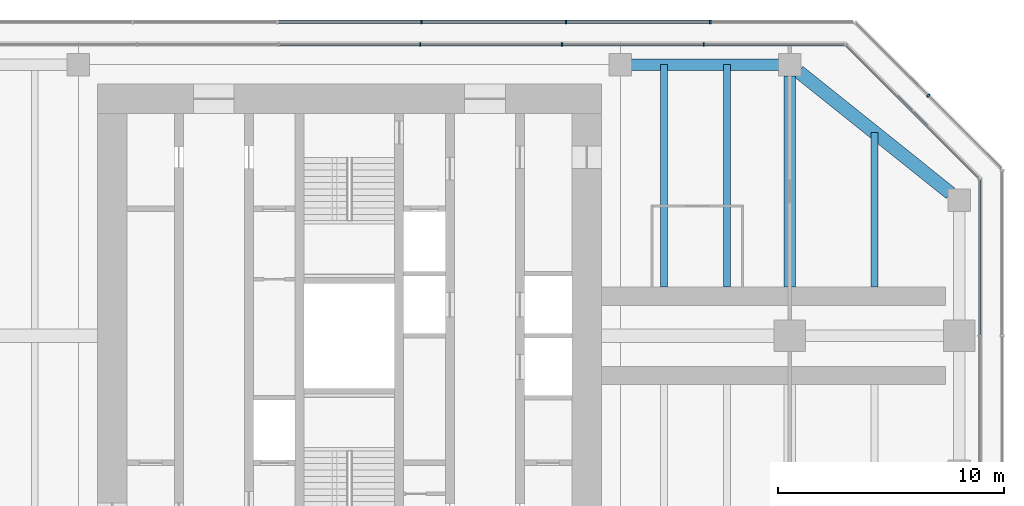
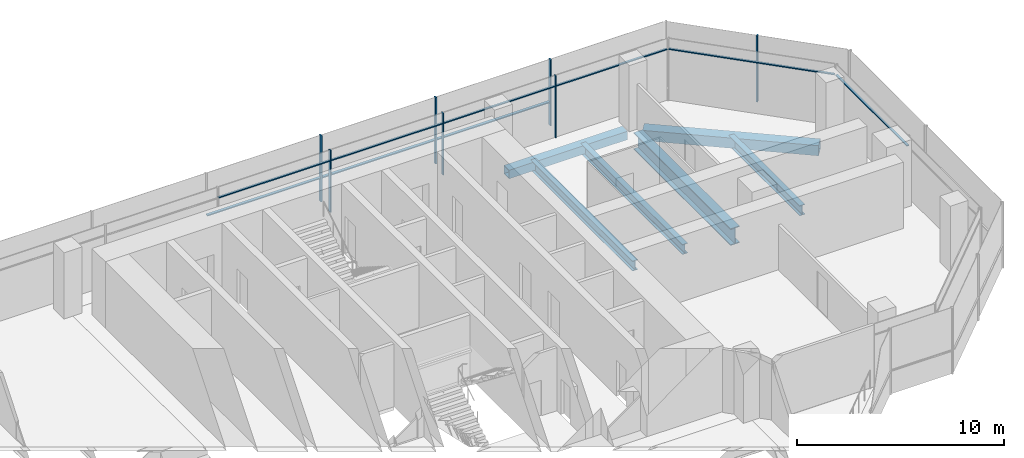
# One storey, part 7 of 15: 16 members, 6 beams, 5 elements without a shape of their own.
"""IFC4 building model written with IfcOpenShell, lengths in metres."""

from ifc_helpers import new_model, si_unit, direction, frame, origin, origin_2d, place, context, subcontext, project, spatial, rectangle, hollow_rectangle, i_section, extrude, material, material_profile, profile_set, type_object, element, aggregate, save


model = new_model("IFC4")

# Units and contexts
model_context = context("Model", 3, precision=1e-05, world=origin(), true_north=direction((0.0, 1.0)))
body_context = subcontext(model_context, "Body", "Model", "MODEL_VIEW")
ifc_project = project(units=[si_unit("LENGTHUNIT", "METRE"), si_unit("AREAUNIT", "SQUARE_METRE"), si_unit("VOLUMEUNIT", "CUBIC_METRE"), si_unit("PLANEANGLEUNIT", "RADIAN"), si_unit("MASSUNIT", "GRAM", prefix="KILO")], contexts=[model_context])

# Site, building, storey
site_placement = place(None, origin())
site = spatial("IfcSite", under=ifc_project, at=site_placement, CompositionType="ELEMENT")
building_placement = place(site_placement, origin())
building = spatial("IfcBuilding", under=site, at=building_placement, Name="Mizan Broadcast Tower", CompositionType="ELEMENT")
storey_placement = place(building_placement, frame((0.0, 0.0, 302.39990234375)))
storey = spatial("IfcBuildingStorey", under=building, at=storey_placement, Name="L72", CompositionType="ELEMENT", Elevation=302.39990234375)

# Beams
ifc_material_1 = material(Name="Steel S355", Category="steel")
ifc_material_profile_1 = material_profile(ifc_material_1, hollow_rectangle(XDim=0.5, YDim=0.5, WallThickness=0.030029296875, at=origin_2d()), Name="BOX 500x500x30")
ifc_profile_set_1 = profile_set([ifc_material_profile_1], Name="Steel S355")
beam_type_1 = type_object("IfcBeamType", Name="EDGE BEAM BOX 500x500x30", PredefinedType="SPANDREL", material=ifc_profile_set_1)
beam_1_placement = place(storey_placement, frame((12.449951171875, 12.0, -0.3798828125), z_axis=(1.0, 0.0, 0.0), x_axis=(0.0, 1.0, 0.0)))
element("IfcBeam", 1, at=beam_1_placement, inside=storey, type_object=beam_type_1, Name="Edge beam BOX 500x500x30 L72 east arm", PredefinedType="SPANDREL", context=body_context, shape_type="SweptSolid", body=[
    extrude(hollow_rectangle(XDim=0.5, YDim=0.5, WallThickness=0.030029296875, at=origin_2d()), origin(), (0.0, 0.0, 1.0), 6.60009765625),
])
ifc_material_2 = material(Name="Steel S355", Category="steel")
ifc_material_profile_2 = material_profile(ifc_material_2, hollow_rectangle(XDim=0.60009765625, YDim=0.60009765625, WallThickness=0.030029296875, at=origin_2d()), Name="BOX 600x600x30")
ifc_profile_set_2 = profile_set([ifc_material_profile_2], Name="Steel S355")
beam_type_2 = type_object("IfcBeamType", Name="EDGE BEAM BOX 600x600x30", PredefinedType="SPANDREL", material=ifc_profile_set_2)
beam_2_placement = place(storey_placement, frame((19.890380859375, 11.687744140625, -0.429931640625), z_axis=(0.780863273348, -0.62470196761, 0.0), x_axis=(0.62470196761, 0.780863273348, 0.0)))
element("IfcBeam", 2, at=beam_2_placement, inside=storey, type_object=beam_type_2, Name="Edge beam BOX 600x600x30 L72 east arm", PredefinedType="SPANDREL", context=body_context, shape_type="SweptSolid", body=[
    extrude(hollow_rectangle(XDim=0.60009765625, YDim=0.60009765625, WallThickness=0.030029296875, at=origin_2d()), origin(), (0.0, 0.0, 1.0), 8.60498046875),
])
ifc_material_3 = material(Name="Steel S460", Category="steel")
ifc_material_profile_3 = material_profile(ifc_material_3, i_section(OverallWidth=0.5, OverallDepth=1.0, WebThickness=0.02490234375, FlangeThickness=0.050048828125, at=origin_2d()), Name="WPG 1000x500")
ifc_profile_set_3 = profile_set([ifc_material_profile_3], Name="Steel S460")
beam_type_3 = type_object("IfcBeamType", Name="GIRDER WPG 1000x500", PredefinedType="BEAM", material=ifc_profile_set_3)
beam_3_placement = place(storey_placement, frame((19.5, 11.5, -0.6298828125), z_axis=(0.0, -1.0, 0.0), x_axis=(1.0, 0.0, 0.0)))
element("IfcBeam", 3, at=beam_3_placement, inside=storey, type_object=beam_type_3, Name="Girder WPG 1000x500 L72 east arm", PredefinedType="BEAM", context=body_context, shape_type="SweptSolid", body=[
    extrude(i_section(OverallWidth=0.5, OverallDepth=1.0, WebThickness=0.02490234375, FlangeThickness=0.050048828125, at=origin_2d()), origin(), (0.0, 0.0, 1.0), 9.35009765625),
])

# Curtain wall, members
ifc_material_4 = material(Name="Aluminium framed glazing", Category="aluminium")
curtain_wall_type_1 = type_object("IfcCurtainWallType", Name="INNER SKIN TOP ZONE", PredefinedType="USERDEFINED", material=ifc_material_4)
curtain_wall_1_placement = place(storey_placement, origin())
curtain_wall_1 = element("IfcCurtainWall", 4, at=curtain_wall_1_placement, inside=storey, type_object=curtain_wall_type_1, Name="Inner skin top zone L72 N end", ObjectType="INNER SKIN TOP ZONE", PredefinedType="USERDEFINED")
ifc_material_5 = material(Name="Aluminium, pale anodised", Category="aluminium")
ifc_material_profile_4 = material_profile(ifc_material_5, rectangle(XDim=0.159912109375, YDim=0.06005859375, at=origin_2d()), Name="MULLION 160x60")
ifc_profile_set_4 = profile_set([ifc_material_profile_4], Name="Aluminium, pale anodised")
member_type_1 = type_object("IfcMemberType", Name="INNER SKIN MULLION 60x160", PredefinedType="MULLION", material=ifc_profile_set_4)
member_1_placement = place(storey_placement, frame((15.684814453125, 12.89990234375, 0.0), z_axis=(0.0, 0.0, 1.0), x_axis=(0.0, -1.0, 0.0)))
member_1 = element("IfcMember", 5, at=member_1_placement, type_object=member_type_1, Name="Inner skin top zone L72 N end mullion 2", PredefinedType="MULLION", context=body_context, shape_type="SweptSolid", body=[
    extrude(rectangle(XDim=0.159912109375, YDim=0.06005859375, at=origin_2d()), origin(), (0.0, 0.0, 1.0), 3.650146484375),
])
member_2_placement = place(storey_placement, frame((9.410888671875, 12.89990234375, 0.0), z_axis=(0.0, 0.0, 1.0), x_axis=(0.0, -1.0, 0.0)))
member_2 = element("IfcMember", 6, at=member_2_placement, type_object=member_type_1, Name="Inner skin top zone L72 N end mullion 3", PredefinedType="MULLION", context=body_context, shape_type="SweptSolid", body=[
    extrude(rectangle(XDim=0.159912109375, YDim=0.06005859375, at=origin_2d()), origin(), (0.0, 0.0, 1.0), 3.650146484375),
])
member_3_placement = place(storey_placement, frame((3.136962890625, 12.89990234375, 0.0), z_axis=(0.0, 0.0, 1.0), x_axis=(0.0, -1.0, 0.0)))
member_3 = element("IfcMember", 7, at=member_3_placement, type_object=member_type_1, Name="Inner skin top zone L72 N end mullion 4", PredefinedType="MULLION", context=body_context, shape_type="SweptSolid", body=[
    extrude(rectangle(XDim=0.159912109375, YDim=0.06005859375, at=origin_2d()), origin(), (0.0, 0.0, 1.0), 3.650146484375),
])

# Curtain wall, member
curtain_wall_2_placement = place(storey_placement, origin())
curtain_wall_2 = element("IfcCurtainWall", 8, at=curtain_wall_2_placement, inside=storey, type_object=curtain_wall_type_1, Name="Inner skin top zone L72 E end", ObjectType="INNER SKIN TOP ZONE", PredefinedType="USERDEFINED")
ifc_material_6 = material(Name="Aluminium, pale anodised", Category="aluminium")
ifc_material_profile_5 = material_profile(ifc_material_6, rectangle(XDim=0.1201171875, YDim=0.06005859375, at=origin_2d()), Name="TRANSOM 120x60")
ifc_profile_set_5 = profile_set([ifc_material_profile_5], Name="Aluminium, pale anodised")
member_type_2 = type_object("IfcMemberType", Name="INNER SKIN TRANSOM 60x120", PredefinedType="USERDEFINED", material=ifc_profile_set_5)
member_4_placement = place(storey_placement, frame((27.89990234375, 0.030029296875, 3.030029296875), z_axis=(0.0, 1.0, 0.0), x_axis=(-1.0, 0.0, 0.0)))
member_4 = element("IfcMember", 9, at=member_4_placement, type_object=member_type_2, Name="Inner skin top zone L72 E end transom 2.1", ObjectType="TRANSOM", PredefinedType="USERDEFINED", context=body_context, shape_type="SweptSolid", body=[
    extrude(rectangle(XDim=0.1201171875, YDim=0.06005859375, at=origin_2d()), origin(), (0.0, 0.0, 1.0), 6.86865234375),
])
aggregate(curtain_wall_2, [member_4])

curtain_wall_3_placement = place(storey_placement, origin())
curtain_wall_3 = element("IfcCurtainWall", 10, at=curtain_wall_3_placement, inside=storey, type_object=curtain_wall_type_1, Name="Inner skin top zone L72 E chamfer", ObjectType="INNER SKIN TOP ZONE", PredefinedType="USERDEFINED")
member_5_placement = place(storey_placement, frame((27.857666015625, 7.0009765625, 3.030029296875), z_axis=(-0.707106781187, 0.707106781187, 0.0), x_axis=(-0.707106781187, -0.707106781187, 0.0)))
member_5 = element("IfcMember", 11, at=member_5_placement, type_object=member_type_2, Name="Inner skin top zone L72 E chamfer transom 1.1", ObjectType="TRANSOM", PredefinedType="USERDEFINED", context=body_context, shape_type="SweptSolid", body=[
    extrude(rectangle(XDim=0.1201171875, YDim=0.06005859375, at=origin_2d()), origin(), (0.0, 0.0, 1.0), 8.28271484375),
])
aggregate(curtain_wall_3, [member_5])

# Member
member_6_placement = place(storey_placement, frame((21.898681640625, 12.89990234375, 3.030029296875), z_axis=(-1.0, 0.0, 0.0), x_axis=(0.0, -1.0, 0.0)))
member_6 = element("IfcMember", 12, at=member_6_placement, type_object=member_type_2, Name="Inner skin top zone L72 N end transom 1.1", ObjectType="TRANSOM", PredefinedType="USERDEFINED", context=body_context, shape_type="SweptSolid", body=[
    extrude(rectangle(XDim=0.1201171875, YDim=0.06005859375, at=origin_2d()), origin(), (0.0, 0.0, 1.0), 6.18408203125),
])

member_7_placement = place(storey_placement, frame((15.65478515625, 12.89990234375, 3.030029296875), z_axis=(-1.0, 0.0, 0.0), x_axis=(0.0, -1.0, 0.0)))
member_7 = element("IfcMember", 13, at=member_7_placement, type_object=member_type_2, Name="Inner skin top zone L72 N end transom 2.1", ObjectType="TRANSOM", PredefinedType="USERDEFINED", context=body_context, shape_type="SweptSolid", body=[
    extrude(rectangle(XDim=0.1201171875, YDim=0.06005859375, at=origin_2d()), origin(), (0.0, 0.0, 1.0), 6.2138671875),
])

member_8_placement = place(storey_placement, frame((9.380859375, 12.89990234375, 3.030029296875), z_axis=(-1.0, 0.0, 0.0), x_axis=(0.0, -1.0, 0.0)))
member_8 = element("IfcMember", 14, at=member_8_placement, type_object=member_type_2, Name="Inner skin top zone L72 N end transom 3.1", ObjectType="TRANSOM", PredefinedType="USERDEFINED", context=body_context, shape_type="SweptSolid", body=[
    extrude(rectangle(XDim=0.1201171875, YDim=0.06005859375, at=origin_2d()), origin(), (0.0, 0.0, 1.0), 6.2138671875),
])

member_9_placement = place(storey_placement, frame((3.10693359375, 12.89990234375, 3.030029296875), z_axis=(-1.0, 0.0, 0.0), x_axis=(0.0, -1.0, 0.0)))
member_9 = element("IfcMember", 15, at=member_9_placement, type_object=member_type_2, Name="Inner skin top zone L72 N end transom 4.1", ObjectType="TRANSOM", PredefinedType="USERDEFINED", context=body_context, shape_type="SweptSolid", body=[
    extrude(rectangle(XDim=0.1201171875, YDim=0.06005859375, at=origin_2d()), origin(), (0.0, 0.0, 1.0), 6.2138671875),
])

aggregate(curtain_wall_1, [member_1, member_2, member_3, member_6, member_7, member_8, member_9])

# Curtain wall, member
ifc_material_7 = material(Name="Aluminium framed glazing", Category="aluminium")
curtain_wall_type_2 = type_object("IfcCurtainWallType", Name="OUTER SKIN", PredefinedType="USERDEFINED", material=ifc_material_7)
curtain_wall_4_placement = place(storey_placement, origin())
curtain_wall_4 = element("IfcCurtainWall", 16, at=curtain_wall_4_placement, inside=storey, type_object=curtain_wall_type_2, Name="Outer skin L72 E chamfer", ObjectType="OUTER SKIN", PredefinedType="USERDEFINED")
ifc_material_8 = material(Name="Aluminium, pale anodised", Category="aluminium")
ifc_material_profile_6 = material_profile(ifc_material_8, rectangle(XDim=0.159912109375, YDim=0.080078125, at=origin_2d()), Name="MULLION 160x80")
ifc_profile_set_6 = profile_set([ifc_material_profile_6], Name="Aluminium, pale anodised")
member_type_3 = type_object("IfcMemberType", Name="OUTER SKIN MULLION 80x160", PredefinedType="MULLION", material=ifc_profile_set_6)
member_10_placement = place(storey_placement, frame((25.636474609375, 10.636474609375, 0.0), z_axis=(0.0, 0.0, 1.0), x_axis=(-0.707106781187, -0.707106781187, 0.0)))
member_10 = element("IfcMember", 17, at=member_10_placement, type_object=member_type_3, Name="Outer skin L72 E chamfer mullion 2", PredefinedType="MULLION", context=body_context, shape_type="SweptSolid", body=[
    extrude(rectangle(XDim=0.159912109375, YDim=0.080078125, at=origin_2d()), origin(), (0.0, 0.0, 1.0), 3.900146484375),
])
aggregate(curtain_wall_4, [member_10])

# Curtain wall, members
curtain_wall_5_placement = place(storey_placement, origin())
curtain_wall_5 = element("IfcCurtainWall", 18, at=curtain_wall_5_placement, inside=storey, type_object=curtain_wall_type_2, Name="Outer skin L72 N end", ObjectType="OUTER SKIN", PredefinedType="USERDEFINED")
member_11_placement = place(storey_placement, frame((15.98046875, 13.89990234375, 0.0), z_axis=(0.0, 0.0, 1.0), x_axis=(0.0, -1.0, 0.0)))
member_11 = element("IfcMember", 19, at=member_11_placement, type_object=member_type_3, Name="Outer skin L72 N end mullion 2", PredefinedType="MULLION", context=body_context, shape_type="SweptSolid", body=[
    extrude(rectangle(XDim=0.159912109375, YDim=0.080078125, at=origin_2d()), origin(), (0.0, 0.0, 1.0), 3.900146484375),
])
member_12_placement = place(storey_placement, frame((9.58837890625, 13.89990234375, 0.0), z_axis=(0.0, 0.0, 1.0), x_axis=(0.0, -1.0, 0.0)))
member_12 = element("IfcMember", 20, at=member_12_placement, type_object=member_type_3, Name="Outer skin L72 N end mullion 3", PredefinedType="MULLION", context=body_context, shape_type="SweptSolid", body=[
    extrude(rectangle(XDim=0.159912109375, YDim=0.080078125, at=origin_2d()), origin(), (0.0, 0.0, 1.0), 3.900146484375),
])
member_13_placement = place(storey_placement, frame((3.196044921875, 13.89990234375, 0.0), z_axis=(0.0, 0.0, 1.0), x_axis=(0.0, -1.0, 0.0)))
member_13 = element("IfcMember", 21, at=member_13_placement, type_object=member_type_3, Name="Outer skin L72 N end mullion 4", PredefinedType="MULLION", context=body_context, shape_type="SweptSolid", body=[
    extrude(rectangle(XDim=0.159912109375, YDim=0.080078125, at=origin_2d()), origin(), (0.0, 0.0, 1.0), 3.900146484375),
])
ifc_material_9 = material(Name="Aluminium, pale anodised", Category="aluminium")
ifc_material_profile_7 = material_profile(ifc_material_9, rectangle(XDim=0.159912109375, YDim=0.06005859375, at=origin_2d()), Name="TRANSOM 160x60")
ifc_profile_set_7 = profile_set([ifc_material_profile_7], Name="Aluminium, pale anodised")
member_type_4 = type_object("IfcMemberType", Name="OUTER SKIN TRANSOM 60x160", PredefinedType="USERDEFINED", material=ifc_profile_set_7)
member_14_placement = place(storey_placement, frame((15.940673828125, 13.89990234375, 1.400146484375), z_axis=(-1.0, 0.0, 0.0), x_axis=(0.0, -1.0, 0.0)))
member_14 = element("IfcMember", 22, at=member_14_placement, type_object=member_type_4, Name="Outer skin L72 N end transom 2.1", ObjectType="TRANSOM", PredefinedType="USERDEFINED", context=body_context, shape_type="SweptSolid", body=[
    extrude(rectangle(XDim=0.159912109375, YDim=0.06005859375, at=origin_2d()), origin(), (0.0, 0.0, 1.0), 6.312255859375),
])
member_15_placement = place(storey_placement, frame((9.54833984375, 13.89990234375, 1.400146484375), z_axis=(-1.0, 0.0, 0.0), x_axis=(0.0, -1.0, 0.0)))
member_15 = element("IfcMember", 23, at=member_15_placement, type_object=member_type_4, Name="Outer skin L72 N end transom 3.1", ObjectType="TRANSOM", PredefinedType="USERDEFINED", context=body_context, shape_type="SweptSolid", body=[
    extrude(rectangle(XDim=0.159912109375, YDim=0.06005859375, at=origin_2d()), origin(), (0.0, 0.0, 1.0), 6.312255859375),
])
member_16_placement = place(storey_placement, frame((3.156005859375, 13.89990234375, 1.400146484375), z_axis=(-1.0, 0.0, 0.0), x_axis=(0.0, -1.0, 0.0)))
member_16 = element("IfcMember", 24, at=member_16_placement, type_object=member_type_4, Name="Outer skin L72 N end transom 4.1", ObjectType="TRANSOM", PredefinedType="USERDEFINED", context=body_context, shape_type="SweptSolid", body=[
    extrude(rectangle(XDim=0.159912109375, YDim=0.06005859375, at=origin_2d()), origin(), (0.0, 0.0, 1.0), 6.31201171875),
])
aggregate(curtain_wall_5, [member_11, member_12, member_13, member_14, member_15, member_16])

# Beams
ifc_material_10 = material(Name="Steel S355", Category="steel")
ifc_material_profile_8 = material_profile(ifc_material_10, i_section(OverallWidth=0.300048828125, OverallDepth=0.590087890625, WebThickness=0.012939453125, FlangeThickness=0.02490234375, FilletRadius=0.027099609375, at=origin_2d()), Name="HEA 600")
ifc_profile_set_8 = profile_set([ifc_material_profile_8], Name="Steel S355")
beam_type_4 = type_object("IfcBeamType", Name="SECONDARY BEAM HEA 600", PredefinedType="JOIST", material=ifc_profile_set_8)
for number, where, z_axis, x_axis, name in (
    (25, (13.933349609375, 12.0, -0.4248046875), (0.0, -1.0, 0.0), (1.0, 0.0, 0.0), "Secondary beam HEA 600 L72 east arm"),
    (26, (16.716552734375, 12.0, -0.4248046875), (0.0, -1.0, 0.0), (1.0, 0.0, 0.0), "Secondary beam HEA 600 L72 east arm"),
):
    element("IfcBeam", number, at=place(storey_placement, frame(where, z_axis=z_axis, x_axis=x_axis)), inside=storey, type_object=beam_type_4, Name=name, PredefinedType="JOIST", context=body_context, shape_type="SweptSolid", body=[
        extrude(i_section(OverallWidth=0.300048828125, OverallDepth=0.590087890625, WebThickness=0.012939453125, FlangeThickness=0.02490234375, FilletRadius=0.027099609375, at=origin_2d()), origin(), (0.0, 0.0, 1.0), 9.85009765625),
    ])
beam_4_placement = place(storey_placement, frame((23.25, 9.0, -0.4248046875), z_axis=(0.0, -1.0, 0.0), x_axis=(1.0, 0.0, 0.0)))
element("IfcBeam", 27, at=beam_4_placement, inside=storey, type_object=beam_type_4, Name="Secondary beam HEA 600 L72 east arm", PredefinedType="JOIST", context=body_context, shape_type="SweptSolid", body=[
    extrude(i_section(OverallWidth=0.300048828125, OverallDepth=0.590087890625, WebThickness=0.012939453125, FlangeThickness=0.02490234375, FilletRadius=0.027099609375, at=origin_2d()), origin(), (0.0, 0.0, 1.0), 6.85009765625),
])

save(model, "model.ifc")
